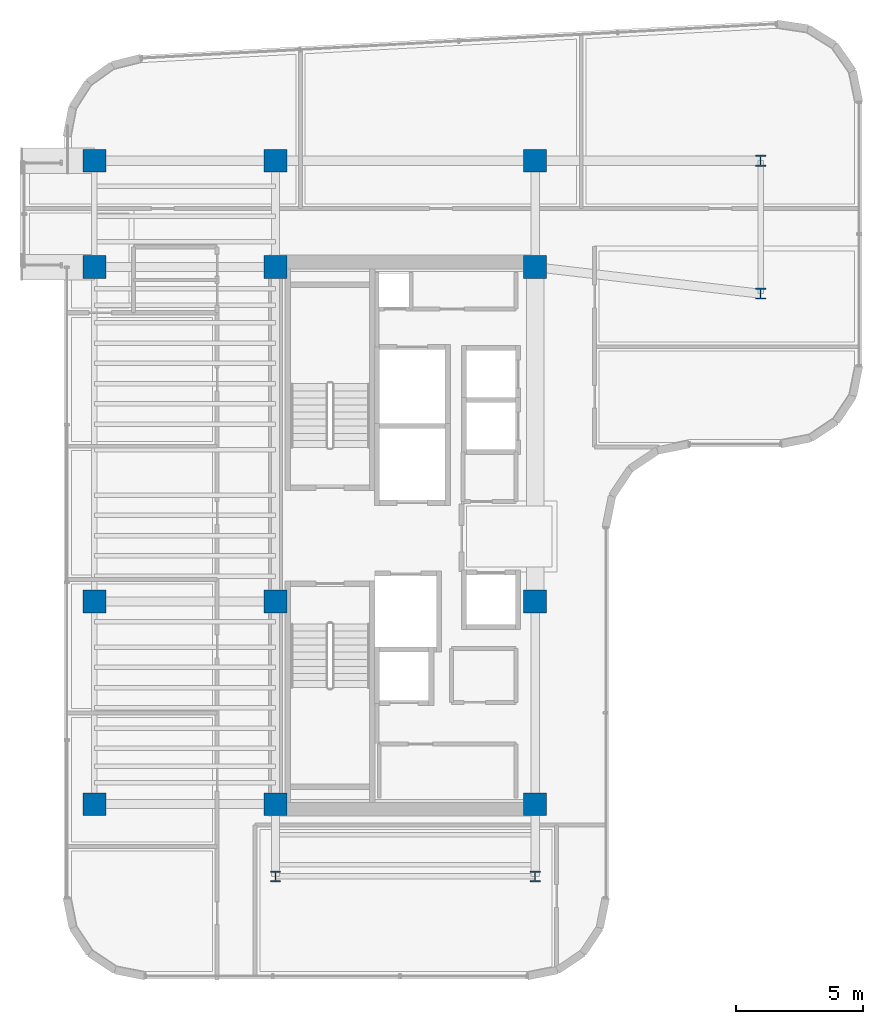
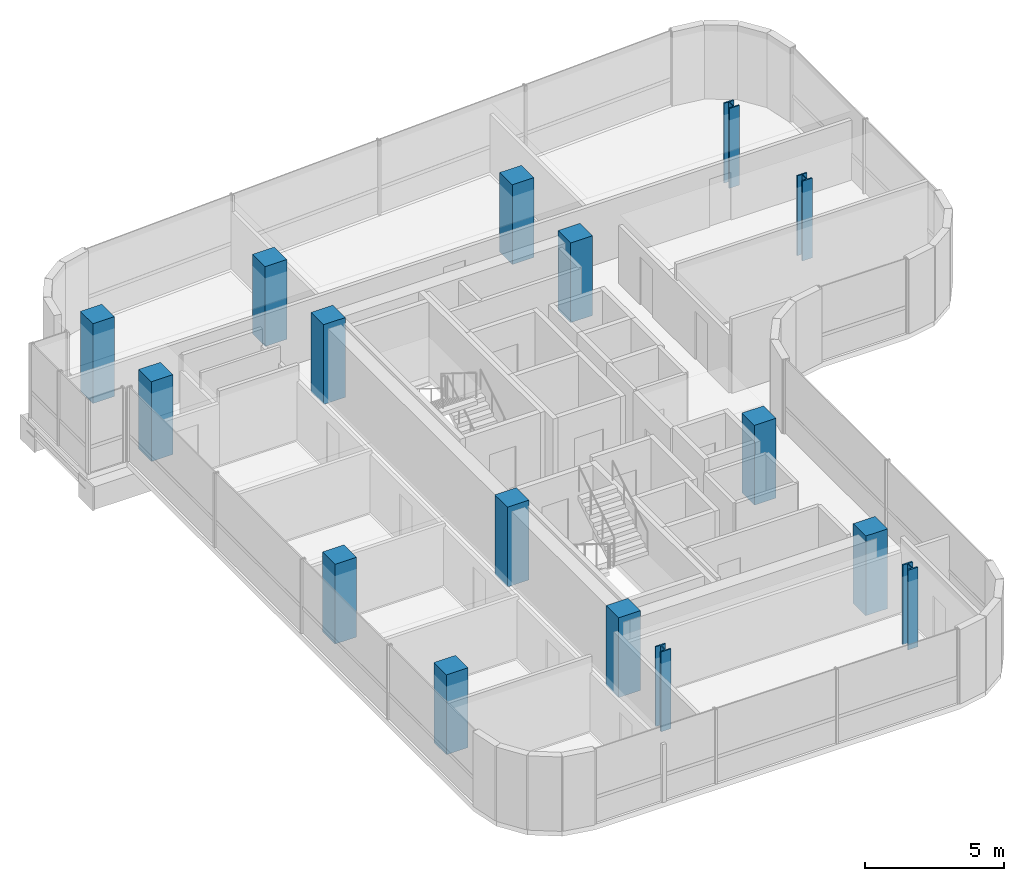
# One storey, part 1 of 21: 16 columns.
"""IFC4 building model written with IfcOpenShell, lengths in metres."""

from ifc_helpers import new_model, si_unit, direction, frame, origin, origin_2d, place, context, subcontext, project, spatial, rectangle, i_section, extrude, source, transform, mapped, material, material_profile, profile_set, type_object, element, save


model = new_model("IFC4")

# Units and contexts
model_context = context("Model", 3, precision=1e-05, world=origin(), true_north=direction((0.0, 1.0)))
body_context = subcontext(model_context, "Body", "Model", "MODEL_VIEW")
ifc_project = project(units=[si_unit("LENGTHUNIT", "METRE"), si_unit("AREAUNIT", "SQUARE_METRE"), si_unit("VOLUMEUNIT", "CUBIC_METRE"), si_unit("PLANEANGLEUNIT", "RADIAN"), si_unit("MASSUNIT", "GRAM", prefix="KILO")], contexts=[model_context])

# Site, building, storey
site_placement = place(None, origin())
site = spatial("IfcSite", under=ifc_project, at=site_placement, CompositionType="ELEMENT")
building_placement = place(site_placement, origin())
building = spatial("IfcBuilding", under=site, at=building_placement, Name="Valdorenza Pilgrim Sanctuary Tower", CompositionType="ELEMENT")
storey_placement = place(building_placement, frame((0.0, 0.0, 219.5)))
storey = spatial("IfcBuildingStorey", under=building, at=storey_placement, Name="L56", CompositionType="ELEMENT", Elevation=219.5)

# Columns
ifc_material_1 = material(Name="Concrete C50/60", Category="concrete")
ifc_material_profile_1 = material_profile(ifc_material_1, rectangle(XDim=0.89990234375, YDim=0.89990234375, at=origin_2d()), Name="RC 900x900")
ifc_profile_set_1 = profile_set([ifc_material_profile_1], Name="Concrete C50/60")
column_type_1 = type_object("IfcColumnType", Name="COL-Z4A-900", PredefinedType="COLUMN", material=ifc_profile_set_1)
shared_shape_1 = source(origin(), body_context, "Body", "SweptSolid", [
    extrude(rectangle(XDim=0.89990234375, YDim=0.89990234375, at=origin_2d()), origin(), (0.0, 0.0, 1.0), 3.5),
])
for number, where, z_axis, x_axis, name in (
    (1, (-29.800048828125, -10.60009765625, 0.0), (0.0, 0.0, 1.0), (1.0, 0.0, 0.0), "L56 Perimeter Column WA-W-S1"),
    (2, (-22.64990234375, -10.60009765625, 0.0), (0.0, 0.0, 1.0), (1.0, 0.0, 0.0), "L56 Column CA-W-S1"),
    (3, (-12.39990234375, -10.60009765625, 0.0), (0.0, 0.0, 1.0), (1.0, 0.0, 0.0), "L56 Column CA-E-S1"),
    (4, (-29.800048828125, -2.60009765625, 0.0), (0.0, 0.0, 1.0), (1.0, 0.0, 0.0), "L56 Perimeter Column WA-W-M0"),
    (5, (-22.64990234375, -2.60009765625, 0.0), (0.0, 0.0, 1.0), (1.0, 0.0, 0.0), "L56 Column CA-W-M0"),
    (6, (-12.39990234375, -2.60009765625, 0.0), (0.0, 0.0, 1.0), (1.0, 0.0, 0.0), "L56 Column CA-E-M0"),
    (7, (-29.800048828125, 10.60009765625, 0.0), (0.0, 0.0, 1.0), (1.0, 0.0, 0.0), "L56 Perimeter Column WA-W-N1"),
    (8, (-22.64990234375, 10.60009765625, 0.0), (0.0, 0.0, 1.0), (1.0, 0.0, 0.0), "L56 Column CA-W-N1"),
    (9, (-12.39990234375, 10.60009765625, 0.0), (0.0, 0.0, 1.0), (1.0, 0.0, 0.0), "L56 Column CA-E-N1"),
    (10, (-29.800048828125, 14.800048828125, 0.0), (0.0, 0.0, 1.0), (1.0, 0.0, 0.0), "L56 Perimeter Column WA-W-N2"),
    (11, (-22.64990234375, 14.800048828125, 0.0), (0.0, 0.0, 1.0), (1.0, 0.0, 0.0), "L56 Column CA-W-N2"),
    (12, (-12.39990234375, 14.800048828125, 0.0), (0.0, 0.0, 1.0), (1.0, 0.0, 0.0), "L56 Column CA-E-N2"),
):
    element("IfcColumn", number, at=place(storey_placement, frame(where, z_axis=z_axis, x_axis=x_axis)), inside=storey, type_object=column_type_1, Name=name, PredefinedType="COLUMN", context=body_context, shape_type="MappedRepresentation", body=[
        mapped(shared_shape_1, transform((0.0, 0.0, 0.0), x_axis=(1.0, 0.0, 0.0), y_axis=(0.0, 1.0, 0.0), z_axis=(0.0, 0.0, 1.0), scale=1.0)),
    ])
ifc_material_2 = material(Name="Steel ASTM A992 Grade 50", Category="steel")
ifc_material_profile_2 = material_profile(ifc_material_2, i_section(OverallWidth=0.412109375, OverallDepth=0.43505859375, WebThickness=0.035888671875, FlangeThickness=0.057373046875, at=origin_2d()), Name="W14X311")
ifc_profile_set_2 = profile_set([ifc_material_profile_2], Name="Steel ASTM A992 Grade 50")
column_type_2 = type_object("IfcColumnType", Name="COL-STL-W311", PredefinedType="COLUMN", material=ifc_profile_set_2)
shared_shape_2 = source(origin(), body_context, "Body", "SweptSolid", [
    extrude(i_section(OverallWidth=0.412109375, OverallDepth=0.43505859375, WebThickness=0.035888671875, FlangeThickness=0.057373046875, at=origin_2d()), origin(), (0.0, 0.0, 1.0), 3.5),
])
for number, where, z_axis, x_axis, name in (
    (13, (-22.64990234375, -13.449951171875, 0.0), (0.0, 0.0, 1.0), (1.0, 0.0, 0.0), "L56 Column WA-S-W"),
    (14, (-12.39990234375, -13.449951171875, 0.0), (0.0, 0.0, 1.0), (1.0, 0.0, 0.0), "L56 Column WA-S-E"),
    (15, (-3.5, 9.550048828125, 0.0), (0.0, 0.0, 1.0), (1.0, 0.0, 0.0), "L56 Column UWA-K1"),
    (16, (-3.5, 14.800048828125, 0.0), (0.0, 0.0, 1.0), (1.0, 0.0, 0.0), "L56 Column UWA-K2"),
):
    element("IfcColumn", number, at=place(storey_placement, frame(where, z_axis=z_axis, x_axis=x_axis)), inside=storey, type_object=column_type_2, Name=name, PredefinedType="COLUMN", context=body_context, shape_type="MappedRepresentation", body=[
        mapped(shared_shape_2, transform((0.0, 0.0, 0.0), x_axis=(1.0, 0.0, 0.0), y_axis=(0.0, 1.0, 0.0), z_axis=(0.0, 0.0, 1.0), scale=1.0)),
    ])

save(model, "model.ifc")
